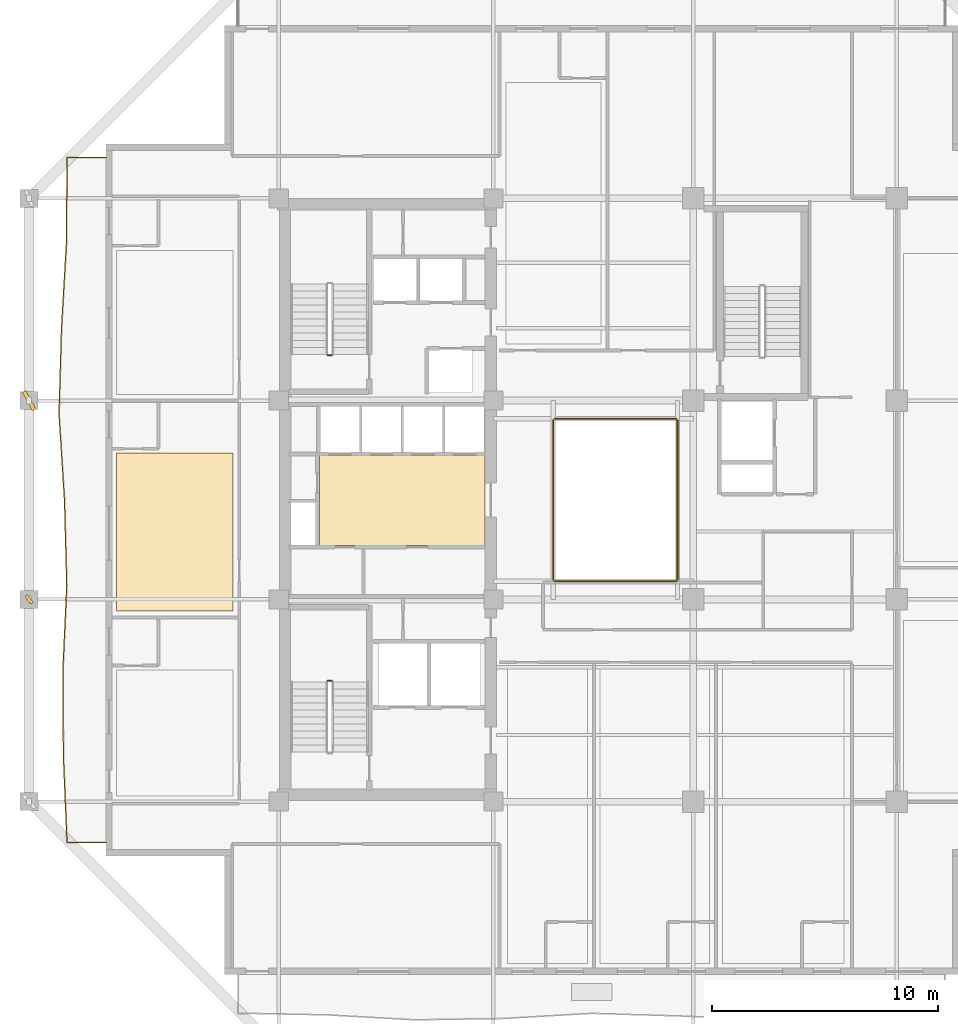
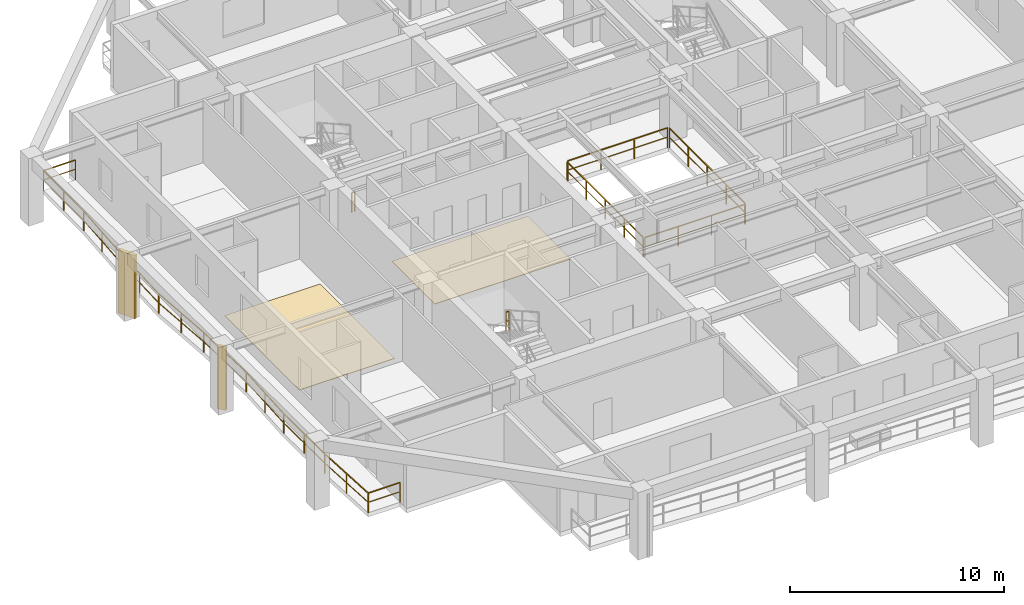
# One storey, part 9 of 13: 7 railings, 2 coverings, 2 shading devices.
"""IFC4 building model written with IfcOpenShell, lengths in metres."""

from ifc_helpers import new_model, si_unit, direction, frame, origin, origin_2d, place, context, subcontext, project, spatial, polyline, rectangle, outline, extrude, material, layer, layer_set, type_object, element, save


model = new_model("IFC4")

# Units and contexts
model_context = context("Model", 3, precision=1e-05, world=origin(), true_north=direction((0.0, 1.0)))
body_context = subcontext(model_context, "Body", "Model", "MODEL_VIEW")
ifc_project = project(units=[si_unit("LENGTHUNIT", "METRE"), si_unit("AREAUNIT", "SQUARE_METRE"), si_unit("VOLUMEUNIT", "CUBIC_METRE"), si_unit("PLANEANGLEUNIT", "RADIAN"), si_unit("MASSUNIT", "GRAM", prefix="KILO")], contexts=[model_context])

# Site, building, storey
site_placement = place(None, origin())
site = spatial("IfcSite", under=ifc_project, at=site_placement, CompositionType="ELEMENT")
building_placement = place(site_placement, origin())
building = spatial("IfcBuilding", under=site, at=building_placement, Name="Kundavana Baori Tower", CompositionType="ELEMENT")
storey_placement = place(building_placement, frame((0.0, 0.0, 181.0)))
storey = spatial("IfcBuildingStorey", under=building, at=storey_placement, Name="L44", CompositionType="ELEMENT", Elevation=181.0)

# Coverings
ifc_material_1 = material(Name="Honed Kota Stone and Terrazzo Flooring", Category="masonry")
ifc_layer = layer(ifc_material_1, 0.030029296875, Name="COV-INT-FLR")
ifc_layer_set = layer_set([ifc_layer], Name="Honed Kota Stone and Terrazzo Flooring")
covering_type = type_object("IfcCoveringType", Name="COV-INT-FLR", PredefinedType="FLOORING", material=ifc_layer_set)
covering_1_placement = place(storey_placement, origin())
element("IfcCovering", 1, at=covering_1_placement, inside=storey, type_object=covering_type, Name="L44 Room Finished Stone Flooring 2", PredefinedType="FLOORING", context=body_context, shape_type="SweptSolid", body=[
    extrude(outline(polyline([(8.280029296875, 23.679931640625), (13.419921875, 23.679931640625), (13.419921875, 30.669921875), (8.280029296875, 30.669921875), (8.280029296875, 23.679931640625)])), origin(), (0.0, 0.0, 1.0), 0.030029296875),
])
covering_2_placement = place(storey_placement, origin())
element("IfcCovering", 2, at=covering_2_placement, inside=storey, type_object=covering_type, Name="L44 Core Lift Lobby Kota Stone Flooring", PredefinedType="FLOORING", context=body_context, shape_type="SweptSolid", body=[
    extrude(outline(polyline([(17.25, 26.580078125), (24.580078125, 26.580078125), (24.580078125, 30.60009765625), (17.25, 30.60009765625), (17.25, 26.580078125)])), origin(), (0.0, 0.0, 1.0), 0.030029296875),
])

# Railings
ifc_material_2 = material(Name="Architectural Patinated Bronze Metalwork")
railing_type_1 = type_object("IfcRailingType", Name="RL-BAL-1150", PredefinedType="BALUSTRADE", material=ifc_material_2)
railing_1_placement = place(storey_placement, frame((7.800048828125, 13.449951171875, 0.0)))
element("IfcRailing", 3, at=railing_1_placement, inside=storey, type_object=railing_type_1, Name="L44 Loggia Balcony Balustrade W", PredefinedType="BALUSTRADE", context=body_context, shape_type="SweptSolid", body=[
    extrude(rectangle(XDim=0.048095703125, YDim=0.048095703125, at=origin_2d()), frame((0.0, 0.0, 1.1259765625), z_axis=(-1.0, 0.0, 0.0), x_axis=(0.0, -1.0, 0.0)), (0.0, 0.0, 1.0), 1.719970703125),
    extrude(rectangle(XDim=0.03125, YDim=0.03125, at=origin_2d()), frame((0.0, 0.0, 0.597900390625), z_axis=(-1.0, 0.0, 0.0), x_axis=(0.0, -1.0, 0.0)), (0.0, 0.0, 1.0), 1.719970703125),
    extrude(rectangle(XDim=0.048095703125, YDim=0.048095703125, at=origin_2d()), frame((-1.719970703125, 0.0, 1.1259765625), z_axis=(-0.042241201471, 0.999107442119, 0.0), x_axis=(-0.999107442119, -0.042241201471, 0.0)), (0.0, 0.0, 1.0), 3.79150390625),
    extrude(rectangle(XDim=0.03125, YDim=0.03125, at=origin_2d()), frame((-1.719970703125, 0.0, 0.597900390625), z_axis=(-0.042241201471, 0.999107442119, 0.0), x_axis=(-0.999107442119, -0.042241201471, 0.0)), (0.0, 0.0, 1.0), 3.79150390625),
    extrude(rectangle(XDim=0.048095703125, YDim=0.048095703125, at=origin_2d()), frame((-1.880126953125, 3.7880859375, 1.1259765625), z_axis=(-0.006317970734, 0.999980041424, 0.0), x_axis=(-0.999980041424, -0.006317970734, 0.0)), (0.0, 0.0, 1.0), 3.786865234375),
    extrude(rectangle(XDim=0.03125, YDim=0.03125, at=origin_2d()), frame((-1.880126953125, 3.7880859375, 0.597900390625), z_axis=(-0.006317970734, 0.999980041424, 0.0), x_axis=(-0.999980041424, -0.006317970734, 0.0)), (0.0, 0.0, 1.0), 3.786865234375),
    extrude(rectangle(XDim=0.048095703125, YDim=0.048095703125, at=origin_2d()), frame((-1.904052734375, 7.574951171875, 1.1259765625), z_axis=(0.045401818467, 0.998968805759, 0.0), x_axis=(-0.998968805759, 0.045401818467, 0.0)), (0.0, 0.0, 1.0), 3.791015625),
    extrude(rectangle(XDim=0.03125, YDim=0.03125, at=origin_2d()), frame((-1.904052734375, 7.574951171875, 0.597900390625), z_axis=(0.045401818467, 0.998968805759, 0.0), x_axis=(-0.998968805759, 0.045401818467, 0.0)), (0.0, 0.0, 1.0), 3.791015625),
    extrude(rectangle(XDim=0.048095703125, YDim=0.048095703125, at=origin_2d()), frame((-1.73193359375, 11.362060546875, 1.1259765625), z_axis=(-0.026672641649, 0.999644221805, 0.0), x_axis=(-0.999644221805, -0.026672641649, 0.0)), (0.0, 0.0, 1.0), 3.78955078125),
    extrude(rectangle(XDim=0.03125, YDim=0.03125, at=origin_2d()), frame((-1.73193359375, 11.362060546875, 0.597900390625), z_axis=(-0.026672641649, 0.999644221805, 0.0), x_axis=(-0.999644221805, -0.026672641649, 0.0)), (0.0, 0.0, 1.0), 3.78955078125),
    extrude(rectangle(XDim=0.048095703125, YDim=0.048095703125, at=origin_2d()), frame((-1.8330078125, 15.150146484375, 1.1259765625), z_axis=(-0.063487519069, 0.997982632576, 0.0), x_axis=(-0.997982632576, -0.063487519069, 0.0)), (0.0, 0.0, 1.0), 3.79541015625),
    extrude(rectangle(XDim=0.03125, YDim=0.03125, at=origin_2d()), frame((-1.8330078125, 15.150146484375, 0.597900390625), z_axis=(-0.063487519069, 0.997982632576, 0.0), x_axis=(-0.997982632576, -0.063487519069, 0.0)), (0.0, 0.0, 1.0), 3.79541015625),
    extrude(rectangle(XDim=0.048095703125, YDim=0.048095703125, at=origin_2d()), frame((-2.073974609375, 18.93798828125, 1.1259765625), z_axis=(0.028482508809, 0.999594291046, 0.0), x_axis=(-0.999594291046, 0.028482508809, 0.0)), (0.0, 0.0, 1.0), 3.78857421875),
    extrude(rectangle(XDim=0.03125, YDim=0.03125, at=origin_2d()), frame((-2.073974609375, 18.93798828125, 0.597900390625), z_axis=(0.028482508809, 0.999594291046, 0.0), x_axis=(-0.999594291046, 0.028482508809, 0.0)), (0.0, 0.0, 1.0), 3.78857421875),
    extrude(rectangle(XDim=0.048095703125, YDim=0.048095703125, at=origin_2d()), frame((-1.966064453125, 22.72509765625, 1.1259765625), z_axis=(0.057733468694, 0.998332032238, 0.0), x_axis=(-0.998332032238, 0.057733468694, 0.0)), (0.0, 0.0, 1.0), 3.793212890625),
    extrude(rectangle(XDim=0.03125, YDim=0.03125, at=origin_2d()), frame((-1.966064453125, 22.72509765625, 0.597900390625), z_axis=(0.057733468694, 0.998332032238, 0.0), x_axis=(-0.998332032238, 0.057733468694, 0.0)), (0.0, 0.0, 1.0), 3.793212890625),
    extrude(rectangle(XDim=0.048095703125, YDim=0.048095703125, at=origin_2d()), frame((-1.7470703125, 26.511962890625, 1.1259765625), z_axis=(0.00715372259, 0.999974411799, 0.0), x_axis=(-0.999974411799, 0.00715372259, 0.0)), (0.0, 0.0, 1.0), 3.7880859375),
    extrude(rectangle(XDim=0.03125, YDim=0.03125, at=origin_2d()), frame((-1.7470703125, 26.511962890625, 0.597900390625), z_axis=(0.00715372259, 0.999974411799, 0.0), x_axis=(-0.999974411799, 0.00715372259, 0.0)), (0.0, 0.0, 1.0), 3.7880859375),
    extrude(rectangle(XDim=0.048095703125, YDim=0.048095703125, at=origin_2d()), frame((-1.719970703125, 30.300048828125, 1.1259765625), z_axis=(1.0, 0.0, 0.0), x_axis=(0.0, 1.0, 0.0)), (0.0, 0.0, 1.0), 1.719970703125),
    extrude(rectangle(XDim=0.03125, YDim=0.03125, at=origin_2d()), frame((-1.719970703125, 30.300048828125, 0.597900390625), z_axis=(1.0, 0.0, 0.0), x_axis=(0.0, 1.0, 0.0)), (0.0, 0.0, 1.0), 1.719970703125),
    extrude(rectangle(XDim=0.0419921875, YDim=0.0419921875, at=origin_2d()), origin(), (0.0, 0.0, 1.0), 1.101806640625),
    extrude(rectangle(XDim=0.0419921875, YDim=0.0419921875, at=origin_2d()), frame((-1.719970703125, 0.0, 0.0)), (0.0, 0.0, 1.0), 1.101806640625),
    extrude(rectangle(XDim=0.0419921875, YDim=0.0419921875, at=origin_2d()), frame((-1.800048828125, 1.89404296875, 0.0)), (0.0, 0.0, 1.0), 1.101806640625),
    extrude(rectangle(XDim=0.0419921875, YDim=0.0419921875, at=origin_2d()), frame((-1.880126953125, 3.7880859375, 0.0)), (0.0, 0.0, 1.0), 1.101806640625),
    extrude(rectangle(XDim=0.0419921875, YDim=0.0419921875, at=origin_2d()), frame((-1.89208984375, 5.681640625, 0.0)), (0.0, 0.0, 1.0), 1.101806640625),
    extrude(rectangle(XDim=0.0419921875, YDim=0.0419921875, at=origin_2d()), frame((-1.904052734375, 7.574951171875, 0.0)), (0.0, 0.0, 1.0), 1.101806640625),
    extrude(rectangle(XDim=0.0419921875, YDim=0.0419921875, at=origin_2d()), frame((-1.81787109375, 9.468505859375, 0.0)), (0.0, 0.0, 1.0), 1.101806640625),
    extrude(rectangle(XDim=0.0419921875, YDim=0.0419921875, at=origin_2d()), frame((-1.73193359375, 11.362060546875, 0.0)), (0.0, 0.0, 1.0), 1.101806640625),
    extrude(rectangle(XDim=0.0419921875, YDim=0.0419921875, at=origin_2d()), frame((-1.782470703125, 13.256103515625, 0.0)), (0.0, 0.0, 1.0), 1.101806640625),
    extrude(rectangle(XDim=0.0419921875, YDim=0.0419921875, at=origin_2d()), frame((-1.8330078125, 15.150146484375, 0.0)), (0.0, 0.0, 1.0), 1.101806640625),
    extrude(rectangle(XDim=0.0419921875, YDim=0.0419921875, at=origin_2d()), frame((-1.95361328125, 17.0439453125, 0.0)), (0.0, 0.0, 1.0), 1.101806640625),
    extrude(rectangle(XDim=0.0419921875, YDim=0.0419921875, at=origin_2d()), frame((-2.073974609375, 18.93798828125, 0.0)), (0.0, 0.0, 1.0), 1.101806640625),
    extrude(rectangle(XDim=0.0419921875, YDim=0.0419921875, at=origin_2d()), frame((-2.02001953125, 20.83154296875, 0.0)), (0.0, 0.0, 1.0), 1.101806640625),
    extrude(rectangle(XDim=0.0419921875, YDim=0.0419921875, at=origin_2d()), frame((-1.966064453125, 22.72509765625, 0.0)), (0.0, 0.0, 1.0), 1.101806640625),
    extrude(rectangle(XDim=0.0419921875, YDim=0.0419921875, at=origin_2d()), frame((-1.8564453125, 24.61865234375, 0.0)), (0.0, 0.0, 1.0), 1.101806640625),
    extrude(rectangle(XDim=0.0419921875, YDim=0.0419921875, at=origin_2d()), frame((-1.7470703125, 26.511962890625, 0.0)), (0.0, 0.0, 1.0), 1.101806640625),
    extrude(rectangle(XDim=0.0419921875, YDim=0.0419921875, at=origin_2d()), frame((-1.7333984375, 28.406005859375, 0.0)), (0.0, 0.0, 1.0), 1.101806640625),
    extrude(rectangle(XDim=0.0419921875, YDim=0.0419921875, at=origin_2d()), frame((-1.719970703125, 30.300048828125, 0.0)), (0.0, 0.0, 1.0), 1.101806640625),
    extrude(rectangle(XDim=0.0419921875, YDim=0.0419921875, at=origin_2d()), frame((0.0, 30.300048828125, 0.0)), (0.0, 0.0, 1.0), 1.101806640625),
])
ifc_material_3 = material(Name="Architectural Patinated Bronze Metalwork")
railing_type_2 = type_object("IfcRailingType", Name="RL-GRD-1150", PredefinedType="GUARDRAIL", material=ifc_material_3)
for number, where, name in (
    (4, (17.7900390625, 20.60009765625, 1.925048828125), "L44 ST1 stair guard 2"),
    (5, (17.7900390625, 35.0, 0.0), "L44 ST2 stair guard 4"),
):
    element("IfcRailing", number, at=place(storey_placement, frame(where)), inside=storey, type_object=railing_type_2, Name=name, PredefinedType="GUARDRAIL", context=body_context, shape_type="SweptSolid", body=[
        extrude(rectangle(XDim=0.048095703125, YDim=0.048095703125, at=origin_2d()), frame((0.0, 0.0, 1.1259765625), z_axis=(-1.0, 0.0, 0.0), x_axis=(0.0, -1.0, 0.0)), (0.0, 0.0, 1.0), 0.16015625),
        extrude(rectangle(XDim=0.03125, YDim=0.03125, at=origin_2d()), frame((0.0, 0.0, 0.597900390625), z_axis=(-1.0, 0.0, 0.0), x_axis=(0.0, -1.0, 0.0)), (0.0, 0.0, 1.0), 0.16015625),
        extrude(rectangle(XDim=0.0419921875, YDim=0.0419921875, at=origin_2d()), origin(), (0.0, 0.0, 1.0), 1.101806640625),
        extrude(rectangle(XDim=0.0419921875, YDim=0.0419921875, at=origin_2d()), frame((-0.16015625, 0.0, 0.0)), (0.0, 0.0, 1.0), 1.101806640625),
    ])
railing_2_placement = place(storey_placement, frame((27.659912109375, 25.0, 0.0)))
element("IfcRailing", 6, at=railing_2_placement, inside=storey, type_object=railing_type_2, Name="L44 Atrium Void Perimeter Guardrail S", PredefinedType="GUARDRAIL", context=body_context, shape_type="SweptSolid", body=[
    extrude(rectangle(XDim=0.048095703125, YDim=0.048095703125, at=origin_2d()), frame((0.0, 0.0, 1.1259765625), z_axis=(1.0, 0.0, 0.0), x_axis=(0.0, 1.0, 0.0)), (0.0, 0.0, 1.0), 5.380126953125),
    extrude(rectangle(XDim=0.03125, YDim=0.03125, at=origin_2d()), frame((0.0, 0.0, 0.597900390625), z_axis=(1.0, 0.0, 0.0), x_axis=(0.0, 1.0, 0.0)), (0.0, 0.0, 1.0), 5.380126953125),
    extrude(rectangle(XDim=0.0419921875, YDim=0.0419921875, at=origin_2d()), origin(), (0.0, 0.0, 1.0), 1.101806640625),
    extrude(rectangle(XDim=0.0419921875, YDim=0.0419921875, at=origin_2d()), frame((1.79345703125, 0.0, 0.0)), (0.0, 0.0, 1.0), 1.101806640625),
    extrude(rectangle(XDim=0.0419921875, YDim=0.0419921875, at=origin_2d()), frame((3.586669921875, 0.0, 0.0)), (0.0, 0.0, 1.0), 1.101806640625),
    extrude(rectangle(XDim=0.0419921875, YDim=0.0419921875, at=origin_2d()), frame((5.380126953125, 0.0, 0.0)), (0.0, 0.0, 1.0), 1.101806640625),
])
railing_3_placement = place(storey_placement, frame((33.10009765625, 25.06005859375, 0.0)))
element("IfcRailing", 7, at=railing_3_placement, inside=storey, type_object=railing_type_2, Name="L44 Atrium Void Perimeter Guardrail E", PredefinedType="GUARDRAIL", context=body_context, shape_type="SweptSolid", body=[
    extrude(rectangle(XDim=0.048095703125, YDim=0.048095703125, at=origin_2d()), frame((0.0, 0.0, 1.1259765625), z_axis=(0.0, 1.0, 0.0), x_axis=(-1.0, 0.0, 0.0)), (0.0, 0.0, 1.0), 7.079833984375),
    extrude(rectangle(XDim=0.03125, YDim=0.03125, at=origin_2d()), frame((0.0, 0.0, 0.597900390625), z_axis=(0.0, 1.0, 0.0), x_axis=(-1.0, 0.0, 0.0)), (0.0, 0.0, 1.0), 7.079833984375),
    extrude(rectangle(XDim=0.0419921875, YDim=0.0419921875, at=origin_2d()), origin(), (0.0, 0.0, 1.0), 1.101806640625),
    extrude(rectangle(XDim=0.0419921875, YDim=0.0419921875, at=origin_2d()), frame((0.0, 1.77001953125, 0.0)), (0.0, 0.0, 1.0), 1.101806640625),
    extrude(rectangle(XDim=0.0419921875, YDim=0.0419921875, at=origin_2d()), frame((0.0, 3.5400390625, 0.0)), (0.0, 0.0, 1.0), 1.101806640625),
    extrude(rectangle(XDim=0.0419921875, YDim=0.0419921875, at=origin_2d()), frame((0.0, 5.309814453125, 0.0)), (0.0, 0.0, 1.0), 1.101806640625),
    extrude(rectangle(XDim=0.0419921875, YDim=0.0419921875, at=origin_2d()), frame((0.0, 7.079833984375, 0.0)), (0.0, 0.0, 1.0), 1.101806640625),
])
railing_4_placement = place(storey_placement, frame((33.0400390625, 32.199951171875, 0.0)))
element("IfcRailing", 8, at=railing_4_placement, inside=storey, type_object=railing_type_2, Name="L44 Atrium Void Perimeter Guardrail N", PredefinedType="GUARDRAIL", context=body_context, shape_type="SweptSolid", body=[
    extrude(rectangle(XDim=0.048095703125, YDim=0.048095703125, at=origin_2d()), frame((0.0, 0.0, 1.1259765625), z_axis=(-1.0, 0.0, 0.0), x_axis=(0.0, -1.0, 0.0)), (0.0, 0.0, 1.0), 5.380126953125),
    extrude(rectangle(XDim=0.03125, YDim=0.03125, at=origin_2d()), frame((0.0, 0.0, 0.597900390625), z_axis=(-1.0, 0.0, 0.0), x_axis=(0.0, -1.0, 0.0)), (0.0, 0.0, 1.0), 5.380126953125),
    extrude(rectangle(XDim=0.0419921875, YDim=0.0419921875, at=origin_2d()), origin(), (0.0, 0.0, 1.0), 1.101806640625),
    extrude(rectangle(XDim=0.0419921875, YDim=0.0419921875, at=origin_2d()), frame((-1.79345703125, 0.0, 0.0)), (0.0, 0.0, 1.0), 1.101806640625),
    extrude(rectangle(XDim=0.0419921875, YDim=0.0419921875, at=origin_2d()), frame((-3.586669921875, 0.0, 0.0)), (0.0, 0.0, 1.0), 1.101806640625),
    extrude(rectangle(XDim=0.0419921875, YDim=0.0419921875, at=origin_2d()), frame((-5.380126953125, 0.0, 0.0)), (0.0, 0.0, 1.0), 1.101806640625),
])
railing_5_placement = place(storey_placement, frame((27.60009765625, 32.139892578125, 0.0)))
element("IfcRailing", 9, at=railing_5_placement, inside=storey, type_object=railing_type_2, Name="L44 Atrium Void Perimeter Guardrail W", PredefinedType="GUARDRAIL", context=body_context, shape_type="SweptSolid", body=[
    extrude(rectangle(XDim=0.048095703125, YDim=0.048095703125, at=origin_2d()), frame((0.0, 0.0, 1.1259765625), z_axis=(0.0, -1.0, 0.0), x_axis=(1.0, 0.0, 0.0)), (0.0, 0.0, 1.0), 7.079833984375),
    extrude(rectangle(XDim=0.03125, YDim=0.03125, at=origin_2d()), frame((0.0, 0.0, 0.597900390625), z_axis=(0.0, -1.0, 0.0), x_axis=(1.0, 0.0, 0.0)), (0.0, 0.0, 1.0), 7.079833984375),
    extrude(rectangle(XDim=0.0419921875, YDim=0.0419921875, at=origin_2d()), origin(), (0.0, 0.0, 1.0), 1.101806640625),
    extrude(rectangle(XDim=0.0419921875, YDim=0.0419921875, at=origin_2d()), frame((0.0, -1.77001953125, 0.0)), (0.0, 0.0, 1.0), 1.101806640625),
    extrude(rectangle(XDim=0.0419921875, YDim=0.0419921875, at=origin_2d()), frame((0.0, -3.5400390625, 0.0)), (0.0, 0.0, 1.0), 1.101806640625),
    extrude(rectangle(XDim=0.0419921875, YDim=0.0419921875, at=origin_2d()), frame((0.0, -5.309814453125, 0.0)), (0.0, 0.0, 1.0), 1.101806640625),
    extrude(rectangle(XDim=0.0419921875, YDim=0.0419921875, at=origin_2d()), frame((0.0, -7.079833984375, 0.0)), (0.0, 0.0, 1.0), 1.101806640625),
])

# Shading devices
ifc_material_4 = material(Name="Red-Buff Dholpur Sandstone Cladding on Concrete C40/50", Category="masonry")
shading_device_type_1 = type_object("IfcShadingDeviceType", Name="SHD-FIN-920", PredefinedType="JALOUSIE", material=ifc_material_4)
shading_device_1_placement = place(storey_placement, frame((4.39990234375, 33.0, 0.0), z_axis=(0.0, 0.0, 1.0), x_axis=(0.88278366258, 0.46977974103, 0.0)))
element("IfcShadingDevice", 10, at=shading_device_1_placement, inside=storey, type_object=shading_device_type_1, Name="L44 Sweeping Dholpur Sandstone Facade Fin 7", PredefinedType="JALOUSIE", context=body_context, shape_type="SweptSolid", body=[
    extrude(rectangle(XDim=0.179931640625, YDim=0.919921875, at=origin_2d()), origin(), (0.0, 0.0, 1.0), 3.60009765625),
])
ifc_material_5 = material(Name="Architectural Patinated Bronze Metalwork")
shading_device_type_2 = type_object("IfcShadingDeviceType", Name="SHD-LOUV-450", PredefinedType="SHUTTER", material=ifc_material_5)
shading_device_2_placement = place(storey_placement, frame((4.39990234375, 24.199951171875, 0.0), z_axis=(0.0, 0.0, 1.0), x_axis=(0.792609005996, 0.609730238396, 0.0)))
element("IfcShadingDevice", 11, at=shading_device_2_placement, inside=storey, type_object=shading_device_type_2, Name="L44 Sweeping Dholpur Sandstone Facade Fin 6", PredefinedType="SHUTTER", context=body_context, shape_type="SweptSolid", body=[
    extrude(rectangle(XDim=0.139892578125, YDim=0.449951171875, at=origin_2d()), origin(), (0.0, 0.0, 1.0), 3.60009765625),
])

save(model, "model.ifc")
